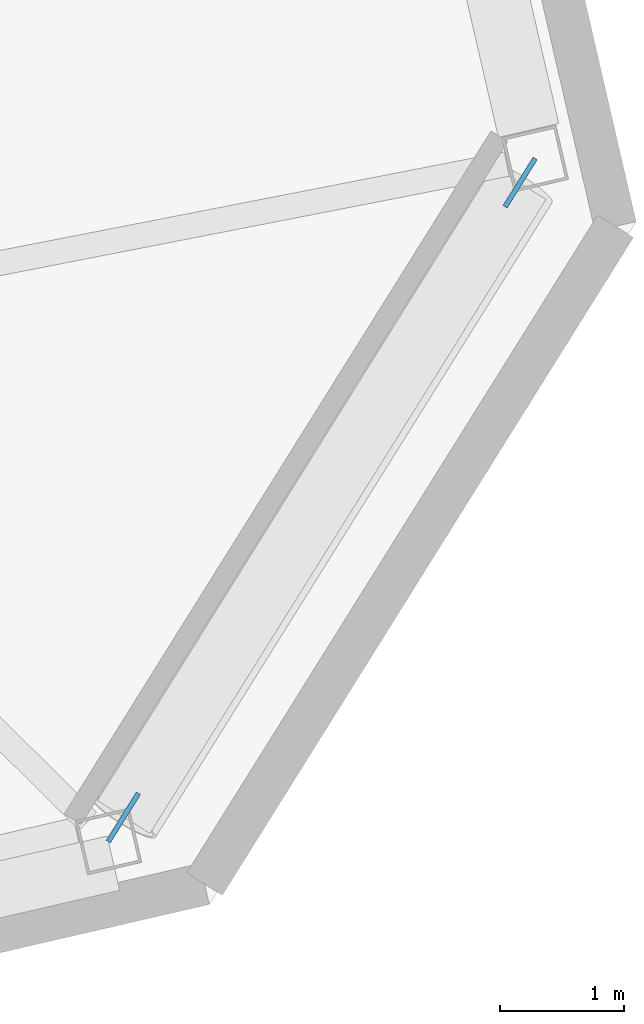
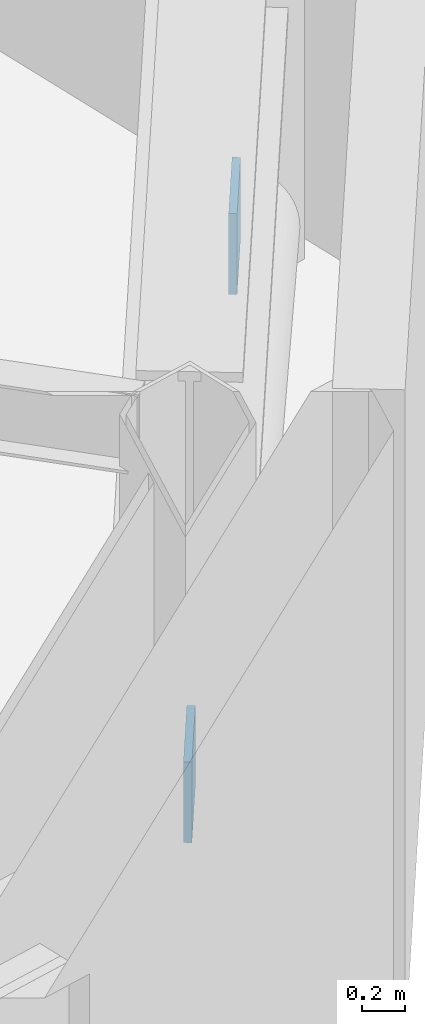
# One storey, part 22 of 23: 2 discrete accessories.
"""IFC4 building model written with IfcOpenShell, lengths in metres."""

from ifc_helpers import new_model, si_unit, direction, frame, origin, origin_2d, place, context, subcontext, project, spatial, rectangle, extrude, material, type_object, element, save


model = new_model("IFC4")

# Units and contexts
model_context = context("Model", 3, precision=1e-05, world=origin(), true_north=direction((0.0, 1.0)))
body_context = subcontext(model_context, "Body", "Model", "MODEL_VIEW")
ifc_project = project(units=[si_unit("LENGTHUNIT", "METRE"), si_unit("AREAUNIT", "SQUARE_METRE"), si_unit("VOLUMEUNIT", "CUBIC_METRE"), si_unit("PLANEANGLEUNIT", "RADIAN"), si_unit("MASSUNIT", "GRAM", prefix="KILO")], contexts=[model_context])

# Site, building, storey
site_placement = place(None, origin())
site = spatial("IfcSite", under=ifc_project, at=site_placement, CompositionType="ELEMENT")
building_placement = place(site_placement, origin())
building = spatial("IfcBuilding", under=site, at=building_placement, Name="Tavrogorsk Clinical Tower", CompositionType="ELEMENT")
storey_placement = place(building_placement, frame((0.0, 0.0, 305.0)))
storey = spatial("IfcBuildingStorey", under=building, at=storey_placement, Name="L71", CompositionType="ELEMENT", Elevation=305.0)

# Discrete accessories
ifc_material = material(Name="Structural steel S440", Category="steel")
discrete_accessory_type = type_object("IfcDiscreteAccessoryType", Name="GussetPlateBracket_25", PredefinedType="BRACKET", material=ifc_material)
for number, where, z_axis, x_axis, name in (
    (1, (31.91455078125, -11.92236328125, 0.112060546875), (0.0, 0.0, 1.0), (-0.529919264233, -0.848048096156, 0.0), "L71 Brace Gusset Plate EXOCRN-L71-1-A"),
    (2, (28.7099609375, -17.050537109375, 1.218017578125), (0.0, 0.0, 1.0), (-0.529919264233, -0.848048096156, 0.0), "L71 Brace Gusset Plate EXOCRN-L71-1-B"),
):
    element("IfcDiscreteAccessory", number, at=place(storey_placement, frame(where, z_axis=z_axis, x_axis=x_axis)), inside=storey, type_object=discrete_accessory_type, Name=name, PredefinedType="BRACKET", context=body_context, shape_type="SweptSolid", body=[
        extrude(rectangle(XDim=0.4599609375, YDim=0.0400390625, at=origin_2d()), origin(), (0.0, 0.0, 1.0), 0.4599609375),
    ])

save(model, "model.ifc")
